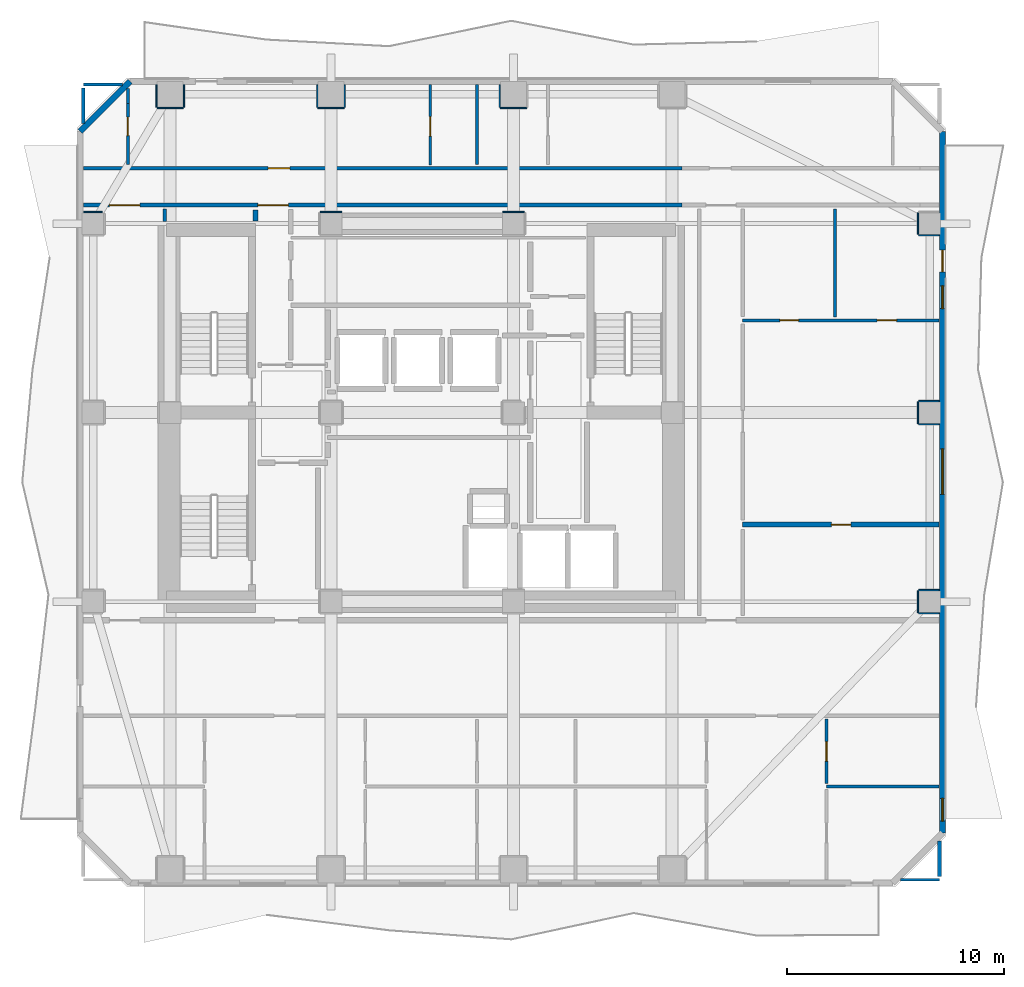
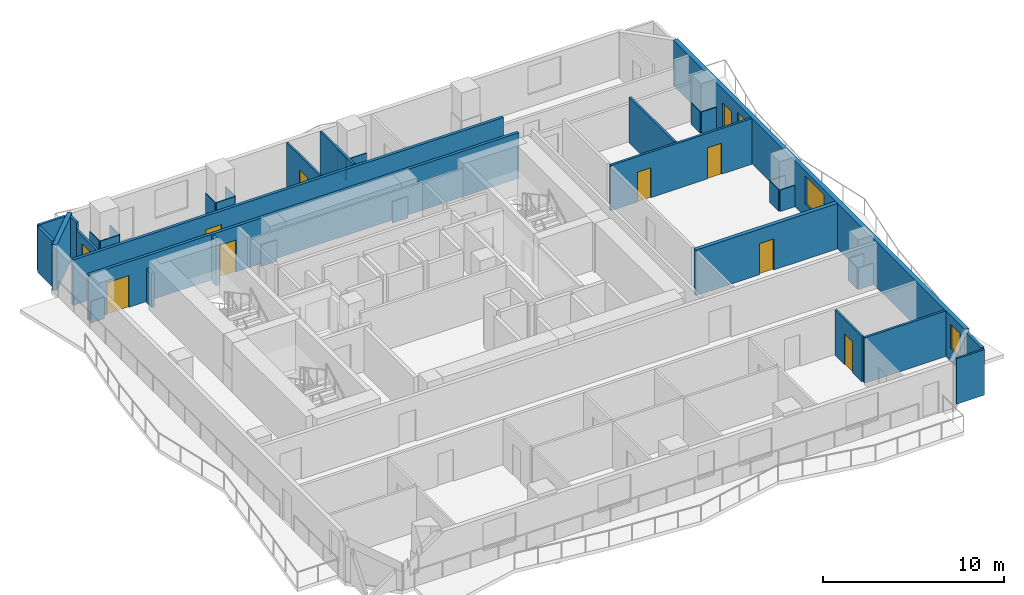
# One storey, part 5 of 9: 38 walls, 10 doors, 3 windows, 13 openings.
"""IFC4 building model written with IfcOpenShell, lengths in metres."""

from ifc_helpers import new_model, si_unit, direction, frame, frame_2d, origin, place, context, subcontext, project, spatial, rectangle, extrude, material, layer, layer_set, type_object, element, fill, save


model = new_model("IFC4")

# Units and contexts
model_context = context("Model", 3, precision=1e-05, world=origin(), true_north=direction((0.0, 1.0)))
body_context = subcontext(model_context, "Body", "Model", "MODEL_VIEW")
ifc_project = project(units=[si_unit("LENGTHUNIT", "METRE"), si_unit("AREAUNIT", "SQUARE_METRE"), si_unit("VOLUMEUNIT", "CUBIC_METRE"), si_unit("PLANEANGLEUNIT", "RADIAN"), si_unit("MASSUNIT", "GRAM", prefix="KILO")], contexts=[model_context])

# Site, building, storey
site_placement = place(None, origin())
site = spatial("IfcSite", under=ifc_project, at=site_placement, CompositionType="ELEMENT")
building_placement = place(site_placement, origin())
building = spatial("IfcBuilding", under=site, at=building_placement, Name="Solanera Arch Residences", CompositionType="ELEMENT")
storey_placement = place(building_placement, frame((0.0, 0.0, 132.639892578125)))
storey = spatial("IfcBuildingStorey", under=building, at=storey_placement, Name="L38", CompositionType="ELEMENT", Elevation=132.639892578125)

# Walls
ifc_material_1 = material(Name="Fire-Rated Gypsum Stud Partition", Category="gypsum")
ifc_layer_1 = layer(ifc_material_1, 0.06005859375)
ifc_layer_set_1 = layer_set([ifc_layer_1], Name="Fire-Rated Gypsum Stud Partition")
wall_type_1 = type_object("IfcWallType", Name="Column Acoustic Furring Wall 60", PredefinedType="PARTITIONING", material=ifc_layer_set_1)
for number, where, z_axis, x_axis, name in (
    (1, (20.300048828125, 39.931884765625, 0.0), (0.0, 0.0, 1.0), (1.0, 0.0, 0.0), "L38 Column Furring 3N"),
    (2, (28.699951171875, 39.931884765625, 0.0), (0.0, 0.0, 1.0), (1.0, 0.0, 0.0), "L38 Column Furring 4N"),
):
    element("IfcWall", number, at=place(storey_placement, frame(where, z_axis=z_axis, x_axis=x_axis)), inside=storey, type_object=wall_type_1, Name=name, PredefinedType="PARTITIONING", context=body_context, shape_type="SweptSolid", body=[
        extrude(rectangle(XDim=1.0, YDim=0.06005859375, at=frame_2d((0.5, 0.0))), origin(), (0.0, 0.0, 1.0), 1.4501953125),
    ])
wall_1_placement = place(storey_placement, frame((12.800048828125, 44.718017578125, 0.0), z_axis=(0.0, 0.0, 1.0), x_axis=(1.0, 0.0, 0.0)))
element("IfcWall", 3, at=wall_1_placement, inside=storey, type_object=wall_type_1, Name="L38 Column Furring 10S", PredefinedType="PARTITIONING", context=body_context, shape_type="SweptSolid", body=[
    extrude(rectangle(XDim=1.199951171875, YDim=0.06005859375, at=frame_2d((0.60009765625, 0.0))), origin(), (0.0, 0.0, 1.0), 1.4501953125),
])
for number, where, z_axis, x_axis, name in (
    (4, (12.76806640625, 44.75, 0.0), (0.0, 0.0, 1.0), (0.0, 1.0, 0.0), "L38 Column Furring 10W"),
    (5, (14.031982421875, 44.75, 0.0), (0.0, 0.0, 1.0), (0.0, 1.0, 0.0), "L38 Column Furring 10E"),
):
    element("IfcWall", number, at=place(storey_placement, frame(where, z_axis=z_axis, x_axis=x_axis)), inside=storey, type_object=wall_type_1, Name=name, PredefinedType="PARTITIONING", context=body_context, shape_type="SweptSolid", body=[
        extrude(rectangle(XDim=1.0400390625, YDim=0.06005859375, at=frame_2d((0.52001953125, 0.0))), origin(), (0.0, 0.0, 1.0), 1.4501953125),
    ])
wall_2_placement = place(storey_placement, frame((20.199951171875, 44.718017578125, 0.0), z_axis=(0.0, 0.0, 1.0), x_axis=(1.0, 0.0, 0.0)))
element("IfcWall", 6, at=wall_2_placement, inside=storey, type_object=wall_type_1, Name="L38 Column Furring 12S", PredefinedType="PARTITIONING", context=body_context, shape_type="SweptSolid", body=[
    extrude(rectangle(XDim=1.199951171875, YDim=0.06005859375, at=frame_2d((0.60009765625, 0.0))), origin(), (0.0, 0.0, 1.0), 1.4501953125),
])
for number, where, z_axis, x_axis, name in (
    (7, (20.16796875, 44.75, 0.0), (0.0, 0.0, 1.0), (0.0, 1.0, 0.0), "L38 Column Furring 12W"),
    (8, (21.431884765625, 44.75, 0.0), (0.0, 0.0, 1.0), (0.0, 1.0, 0.0), "L38 Column Furring 12E"),
):
    element("IfcWall", number, at=place(storey_placement, frame(where, z_axis=z_axis, x_axis=x_axis)), inside=storey, type_object=wall_type_1, Name=name, PredefinedType="PARTITIONING", context=body_context, shape_type="SweptSolid", body=[
        extrude(rectangle(XDim=1.0400390625, YDim=0.06005859375, at=frame_2d((0.52001953125, 0.0))), origin(), (0.0, 0.0, 1.0), 1.4501953125),
    ])
wall_3_placement = place(storey_placement, frame((28.60009765625, 44.718017578125, 0.0), z_axis=(0.0, 0.0, 1.0), x_axis=(1.0, 0.0, 0.0)))
element("IfcWall", 9, at=wall_3_placement, inside=storey, type_object=wall_type_1, Name="L38 Column Furring 14S", PredefinedType="PARTITIONING", context=body_context, shape_type="SweptSolid", body=[
    extrude(rectangle(XDim=1.199951171875, YDim=0.06005859375, at=frame_2d((0.60009765625, 0.0))), origin(), (0.0, 0.0, 1.0), 1.4501953125),
])
wall_4_placement = place(storey_placement, frame((28.568115234375, 44.75, 0.0), z_axis=(0.0, 0.0, 1.0), x_axis=(0.0, 1.0, 0.0)))
element("IfcWall", 10, at=wall_4_placement, inside=storey, type_object=wall_type_1, Name="L38 Column Furring 14W", PredefinedType="PARTITIONING", context=body_context, shape_type="SweptSolid", body=[
    extrude(rectangle(XDim=1.0400390625, YDim=0.06005859375, at=frame_2d((0.52001953125, 0.0))), origin(), (0.0, 0.0, 1.0), 1.4501953125),
])
for number, where, z_axis, x_axis, name in (
    (11, (47.85009765625, 21.468017578125, 0.0), (0.0, 0.0, 1.0), (1.0, 0.0, 0.0), "L38 Column Furring 18S"),
    (12, (47.85009765625, 22.531982421875, 0.0), (0.0, 0.0, 1.0), (1.0, 0.0, 0.0), "L38 Column Furring 18N"),
):
    element("IfcWall", number, at=place(storey_placement, frame(where, z_axis=z_axis, x_axis=x_axis)), inside=storey, type_object=wall_type_1, Name=name, PredefinedType="PARTITIONING", context=body_context, shape_type="SweptSolid", body=[
        extrude(rectangle(XDim=0.93994140625, YDim=0.06005859375, at=frame_2d((0.469970703125, 0.0))), origin(), (0.0, 0.0, 1.0), 1.4501953125),
    ])
wall_5_placement = place(storey_placement, frame((47.818115234375, 21.5, 0.0), z_axis=(0.0, 0.0, 1.0), x_axis=(0.0, 1.0, 0.0)))
element("IfcWall", 13, at=wall_5_placement, inside=storey, type_object=wall_type_1, Name="L38 Column Furring 18W", PredefinedType="PARTITIONING", context=body_context, shape_type="SweptSolid", body=[
    extrude(rectangle(XDim=1.0, YDim=0.06005859375, at=frame_2d((0.5, 0.0))), origin(), (0.0, 0.0, 1.0), 1.4501953125),
])
for number, where, z_axis, x_axis, name in (
    (14, (47.85009765625, 30.16796875, 0.0), (0.0, 0.0, 1.0), (1.0, 0.0, 0.0), "L38 Column Furring 20S"),
    (15, (47.85009765625, 31.23193359375, 0.0), (0.0, 0.0, 1.0), (1.0, 0.0, 0.0), "L38 Column Furring 20N"),
):
    element("IfcWall", number, at=place(storey_placement, frame(where, z_axis=z_axis, x_axis=x_axis)), inside=storey, type_object=wall_type_1, Name=name, PredefinedType="PARTITIONING", context=body_context, shape_type="SweptSolid", body=[
        extrude(rectangle(XDim=0.93994140625, YDim=0.06005859375, at=frame_2d((0.469970703125, 0.0))), origin(), (0.0, 0.0, 1.0), 1.4501953125),
    ])
wall_6_placement = place(storey_placement, frame((47.818115234375, 30.199951171875, 0.0), z_axis=(0.0, 0.0, 1.0), x_axis=(0.0, 1.0, 0.0)))
element("IfcWall", 16, at=wall_6_placement, inside=storey, type_object=wall_type_1, Name="L38 Column Furring 20W", PredefinedType="PARTITIONING", context=body_context, shape_type="SweptSolid", body=[
    extrude(rectangle(XDim=1.0, YDim=0.06005859375, at=frame_2d((0.5, 0.0))), origin(), (0.0, 0.0, 1.0), 1.4501953125),
])
wall_7_placement = place(storey_placement, frame((9.409912109375, 39.931884765625, 0.0), z_axis=(0.0, 0.0, 1.0), x_axis=(1.0, 0.0, 0.0)))
element("IfcWall", 17, at=wall_7_placement, inside=storey, type_object=wall_type_1, Name="L38 Column Furring 21N", PredefinedType="PARTITIONING", context=body_context, shape_type="SweptSolid", body=[
    extrude(rectangle(XDim=0.87109375, YDim=0.06005859375, at=frame_2d((0.435546875, 0.0))), origin(), (0.0, 0.0, 1.0), 1.4501953125),
])
wall_8_placement = place(storey_placement, frame((47.85009765625, 38.867919921875, 0.0), z_axis=(0.0, 0.0, 1.0), x_axis=(1.0, 0.0, 0.0)))
element("IfcWall", 18, at=wall_8_placement, inside=storey, type_object=wall_type_1, Name="L38 Column Furring 22S", PredefinedType="PARTITIONING", context=body_context, shape_type="SweptSolid", body=[
    extrude(rectangle(XDim=0.93994140625, YDim=0.06005859375, at=frame_2d((0.469970703125, 0.0))), origin(), (0.0, 0.0, 1.0), 1.4501953125),
])
wall_9_placement = place(storey_placement, frame((47.818115234375, 38.89990234375, 0.0), z_axis=(0.0, 0.0, 1.0), x_axis=(0.0, 1.0, 0.0)))
element("IfcWall", 19, at=wall_9_placement, inside=storey, type_object=wall_type_1, Name="L38 Column Furring 22W", PredefinedType="PARTITIONING", context=body_context, shape_type="SweptSolid", body=[
    extrude(rectangle(XDim=1.0, YDim=0.06005859375, at=frame_2d((0.5, 0.0))), origin(), (0.0, 0.0, 1.0), 1.4501953125),
])

# Wall, openings, doors
ifc_material_2 = material(Name="Autoclaved Aerated Concrete Blockwork", Category="masonry")
ifc_layer_2 = layer(ifc_material_2, 0.179931640625)
ifc_layer_set_2 = layer_set([ifc_layer_2], Name="Autoclaved Aerated Concrete Blockwork")
wall_type_2 = type_object("IfcWallType", Name="Corridor Fire Partition 180", PredefinedType="PARTITIONING", material=ifc_layer_set_2)
wall_10_placement = place(storey_placement, frame((9.406982421875, 40.25, 0.0), z_axis=(0.0, 0.0, 1.0), x_axis=(1.0, 0.0, 0.0)))
wall_10 = element("IfcWall", 20, at=wall_10_placement, inside=storey, type_object=wall_type_2, Name="L38 Interior Partition H12 1", PredefinedType="PARTITIONING", context=body_context, shape_type="SweptSolid", body=[
    extrude(rectangle(XDim=27.5361328125, YDim=0.179931640625, at=frame_2d((13.76806640625, 0.0))), origin(), (0.0, 0.0, 1.0), 3.080078125),
])
opening_1_placement = place(wall_10_placement, frame((8.028076171875, 0.0, 0.0)))
opening_1 = element("IfcOpeningElement", 21, at=opening_1_placement, cuts=wall_10, Name="Opening DF-03", PredefinedType="OPENING", context=body_context, shape_type="SweptSolid", body=[
    extrude(rectangle(XDim=1.39990234375, YDim=2.14990234375, at=frame_2d((0.699951171875, 1.074951171875))), frame((0.0, 0.10009765625, 0.0), z_axis=(0.0, -1.0, 0.0), x_axis=(1.0, 0.0, 0.0)), (0.0, 0.0, 1.0), 0.1999),
])
opening_2_placement = place(wall_10_placement, frame((1.19189453125, 0.0, 0.0)))
opening_2 = element("IfcOpeningElement", 22, at=opening_2_placement, cuts=wall_10, Name="Opening DF-03", PredefinedType="OPENING", context=body_context, shape_type="SweptSolid", body=[
    extrude(rectangle(XDim=1.39990234375, YDim=2.14990234375, at=frame_2d((0.699951171875, 1.074951171875))), frame((0.0, 0.10009765625, 0.0), z_axis=(0.0, -1.0, 0.0), x_axis=(1.0, 0.0, 0.0)), (0.0, 0.0, 1.0), 0.1999),
])
ifc_material_3 = material(Name="Fire-Rated Architectural Hardwood", Category="wood")
door_type_1 = type_object("IfcDoorType", Name="Corridor Smoke Door DF-03", OperationType="NOTDEFINED", PredefinedType="DOOR", material=ifc_material_3)
door_1_placement = place(opening_1_placement, origin())
door_1 = element("IfcDoor", 23, at=door_1_placement, inside=storey, type_object=door_type_1, Name="DR-L38-IN-009", OperationType="SINGLE_SWING_RIGHT", OverallHeight=2.14990234375, OverallWidth=1.39990234375, PredefinedType="DOOR", context=body_context, shape_type="SweptSolid", body=[
    extrude(rectangle(XDim=1.39990234375, YDim=2.14990234375, at=frame_2d((0.699951171875, 1.074951171875))), frame((0.0, 0.02490234375, 0.0), z_axis=(0.0, -1.0, 0.0), x_axis=(1.0, 0.0, 0.0)), (0.0, 0.0, 1.0), 0.050048828125),
])
fill(opening_1, door_1)
door_2_placement = place(opening_2_placement, origin())
door_2 = element("IfcDoor", 24, at=door_2_placement, inside=storey, type_object=door_type_1, Name="DR-L38-IN-012", OperationType="SINGLE_SWING_LEFT", OverallHeight=2.14990234375, OverallWidth=1.39990234375, PredefinedType="DOOR", context=body_context, shape_type="SweptSolid", body=[
    extrude(rectangle(XDim=1.39990234375, YDim=2.14990234375, at=frame_2d((0.699951171875, 1.074951171875))), frame((0.0, 0.02490234375, 0.0), z_axis=(0.0, -1.0, 0.0), x_axis=(1.0, 0.0, 0.0)), (0.0, 0.0, 1.0), 0.050048828125),
])
fill(opening_2, door_2)

# Wall, opening, door
wall_11_placement = place(storey_placement, frame((9.406982421875, 41.949951171875, 0.0), z_axis=(0.0, 0.0, 1.0), x_axis=(1.0, 0.0, 0.0)))
wall_11 = element("IfcWall", 25, at=wall_11_placement, inside=storey, type_object=wall_type_2, Name="L38 Interior Partition H13 1", PredefinedType="PARTITIONING", context=body_context, shape_type="SweptSolid", body=[
    extrude(rectangle(XDim=27.5361328125, YDim=0.179931640625, at=frame_2d((13.76806640625, 0.0))), origin(), (0.0, 0.0, 1.0), 3.080078125),
])
opening_3_placement = place(wall_11_placement, frame((8.5029296875, 0.0, 0.0)))
opening_3 = element("IfcOpeningElement", 26, at=opening_3_placement, cuts=wall_11, Name="Opening DI-01", PredefinedType="OPENING", context=body_context, shape_type="SweptSolid", body=[
    extrude(rectangle(XDim=1.0, YDim=2.14990234375, at=frame_2d((0.5, 1.074951171875))), frame((0.0, 0.10009765625, 0.0), z_axis=(0.0, -1.0, 0.0), x_axis=(1.0, 0.0, 0.0)), (0.0, 0.0, 1.0), 0.1999),
])
ifc_material_4 = material(Name="Fire-Rated Architectural Hardwood", Category="wood")
door_type_2 = type_object("IfcDoorType", Name="Unit Entrance Fire Door DI-01", OperationType="NOTDEFINED", PredefinedType="DOOR", material=ifc_material_4)
door_3_placement = place(opening_3_placement, origin())
door_3 = element("IfcDoor", 27, at=door_3_placement, inside=storey, type_object=door_type_2, Name="DR-L38-IN-029", OperationType="SINGLE_SWING_RIGHT", OverallHeight=2.14990234375, OverallWidth=1.0, PredefinedType="DOOR", context=body_context, shape_type="SweptSolid", body=[
    extrude(rectangle(XDim=1.0, YDim=2.14990234375, at=frame_2d((0.5, 1.074951171875))), frame((0.0, 0.02490234375, 0.0), z_axis=(0.0, -1.0, 0.0), x_axis=(1.0, 0.0, 0.0)), (0.0, 0.0, 1.0), 0.050048828125),
])
fill(opening_3, door_3)

# Walls
wall_12_placement = place(storey_placement, frame((9.39990234375, 44.0048828125, 0.0), z_axis=(0.0, 0.0, 1.0), x_axis=(0.0, 1.0, 0.0)))
element("IfcWall", 28, at=wall_12_placement, inside=storey, type_object=wall_type_2, Name="L38 Interior Partition V7 2", PredefinedType="PARTITIONING", context=body_context, shape_type="SweptSolid", body=[
    extrude(rectangle(XDim=1.627197265625, YDim=0.179931640625, at=frame_2d((0.8134765625, 0.0))), origin(), (0.0, 0.0, 1.0), 3.080078125),
])
wall_13_placement = place(storey_placement, frame((13.14990234375, 39.5, 0.0), z_axis=(0.0, 0.0, 1.0), x_axis=(0.0, 1.0, 0.0)))
element("IfcWall", 29, at=wall_13_placement, inside=storey, type_object=wall_type_2, Name="L38 Interior Partition V8", PredefinedType="PARTITIONING", context=body_context, shape_type="SweptSolid", body=[
    extrude(rectangle(XDim=0.56201171875, YDim=0.179931640625, at=frame_2d((0.281005859375, 0.0))), origin(), (0.0, 0.0, 1.0), 2.315185546875),
])
wall_14_placement = place(storey_placement, frame((48.800048828125, 9.35791015625, 0.0), z_axis=(0.0, 0.0, 1.0), x_axis=(0.0, 1.0, 0.0)))
element("IfcWall", 30, at=wall_14_placement, inside=storey, type_object=wall_type_2, Name="L38 Interior Partition V12 1", PredefinedType="PARTITIONING", context=body_context, shape_type="SweptSolid", body=[
    extrude(rectangle(XDim=1.63720703125, YDim=0.179931640625, at=frame_2d((0.818603515625, 0.0))), origin(), (0.0, 0.0, 1.0), 3.080078125),
])
ifc_material_5 = material(Name="Precast Concrete C35/45", Category="concrete")
ifc_layer_3 = layer(ifc_material_5, 0.280029296875)
ifc_layer_set_3 = layer_set([ifc_layer_3], Name="Precast Concrete C35/45")
wall_type_3 = type_object("IfcWallType", Name="Exterior Wall Precast Masonry-Frame 280", PredefinedType="STANDARD", material=ifc_layer_set_3)
wall_15_placement = place(storey_placement, frame((9.2548828125, 43.64501953125, 0.0), z_axis=(0.0, 0.0, 1.0), x_axis=(0.707106781187, 0.707106781187, 0.0)))
element("IfcWall", 31, at=wall_15_placement, inside=storey, type_object=wall_type_3, Name="L38 Tower Exterior Precast Masonry-Frame Wall CH1", PredefinedType="STANDARD", context=body_context, shape_type="SweptSolid", body=[
    extrude(rectangle(XDim=3.252685546875, YDim=0.280029296875, at=frame_2d((1.62646484375, 0.0))), origin(), (0.0, 0.0, 1.0), 3.080078125),
])

# Wall, openings, door, windows
wall_16_placement = place(storey_placement, frame((48.945068359375, 43.64501953125, 0.0), z_axis=(0.0, 0.0, 1.0), x_axis=(0.0, -1.0, 0.0)))
wall_16 = element("IfcWall", 32, at=wall_16_placement, inside=storey, type_object=wall_type_3, Name="L38 Tower Exterior Precast Masonry-Frame Wall E", PredefinedType="STANDARD", context=body_context, shape_type="SweptSolid", body=[
    extrude(rectangle(XDim=32.2900390625, YDim=0.280029296875, at=frame_2d((16.14501953125, 0.0))), origin(), (0.0, 0.0, 1.0), 3.080078125),
])
opening_4_placement = place(wall_16_placement, frame((5.467041015625, 0.0, 0.0)))
opening_4 = element("IfcOpeningElement", 33, at=opening_4_placement, cuts=wall_16, Name="Opening DB-01", PredefinedType="OPENING", context=body_context, shape_type="SweptSolid", body=[
    extrude(rectangle(XDim=1.0, YDim=2.14990234375, at=frame_2d((0.5, 1.074951171875))), frame((0.0, 0.14990234375, 0.0), z_axis=(0.0, -1.0, 0.0), x_axis=(1.0, 0.0, 0.0)), (0.0, 0.0, 1.0), 0.3),
])
opening_5_placement = place(wall_16_placement, frame((30.696044921875, 0.0, 0.85009765625)))
opening_5 = element("IfcOpeningElement", 34, at=opening_5_placement, cuts=wall_16, Name="Opening W-07", PredefinedType="OPENING", context=body_context, shape_type="SweptSolid", body=[
    extrude(rectangle(XDim=1.050048828125, YDim=1.64990234375, at=frame_2d((0.52490234375, 0.824951171875))), frame((0.0, 0.14990234375, 0.0), z_axis=(0.0, -1.0, 0.0), x_axis=(1.0, 0.0, 0.0)), (0.0, 0.0, 1.0), 0.3),
])
opening_6_placement = place(wall_16_placement, frame((14.611083984375, 0.0, 0.85009765625)))
opening_6 = element("IfcOpeningElement", 35, at=opening_6_placement, cuts=wall_16, Name="Opening W-04", PredefinedType="OPENING", context=body_context, shape_type="SweptSolid", body=[
    extrude(rectangle(XDim=2.10009765625, YDim=1.89990234375, at=frame_2d((1.050048828125, 0.949951171875))), frame((0.0, 0.14990234375, 0.0), z_axis=(0.0, -1.0, 0.0), x_axis=(1.0, 0.0, 0.0)), (0.0, 0.0, 1.0), 0.3),
])
opening_7_placement = place(wall_16_placement, frame((7.10595703125, 0.0, 0.85009765625)))
opening_7 = element("IfcOpeningElement", 36, at=opening_7_placement, cuts=wall_16, Name="Opening W-07", PredefinedType="OPENING", context=body_context, shape_type="SweptSolid", body=[
    extrude(rectangle(XDim=1.050048828125, YDim=1.64990234375, at=frame_2d((0.52490234375, 0.824951171875))), frame((0.0, 0.14990234375, 0.0), z_axis=(0.0, -1.0, 0.0), x_axis=(1.0, 0.0, 0.0)), (0.0, 0.0, 1.0), 0.3),
])
ifc_material_6 = material(Name="Anodised Aluminium Alloy 6063-T6", Category="aluminium")
door_type_3 = type_object("IfcDoorType", Name="Glazed Balcony Swing Door DB-01", OperationType="NOTDEFINED", PredefinedType="DOOR", material=ifc_material_6)
door_4_placement = place(opening_4_placement, origin())
door_4 = element("IfcDoor", 37, at=door_4_placement, inside=storey, type_object=door_type_3, Name="DR-L38-OUT-03", OperationType="SINGLE_SWING_RIGHT", OverallHeight=2.14990234375, OverallWidth=1.0, PredefinedType="DOOR", context=body_context, shape_type="SweptSolid", body=[
    extrude(rectangle(XDim=1.0, YDim=2.14990234375, at=frame_2d((0.5, 1.074951171875))), frame((0.0, 0.02490234375, 0.0), z_axis=(0.0, -1.0, 0.0), x_axis=(1.0, 0.0, 0.0)), (0.0, 0.0, 1.0), 0.050048828125),
])
fill(opening_4, door_4)
ifc_material_7 = material(Name="Double Glazed Low-E Laminated Glass", Category="glass")
window_type_1 = type_object("IfcWindowType", Name="Punched Window W-04", PartitioningType="DOUBLE_PANEL_VERTICAL", PredefinedType="WINDOW", material=ifc_material_7)
window_1_placement = place(opening_6_placement, origin())
window_1 = element("IfcWindow", 38, at=window_1_placement, inside=storey, type_object=window_type_1, Name="L38 3805-LIV Punched Window", OverallHeight=1.89990234375, OverallWidth=2.10009765625, PartitioningType="SINGLE_PANEL", PredefinedType="WINDOW", context=body_context, shape_type="SweptSolid", body=[
    extrude(rectangle(XDim=2.10009765625, YDim=1.89990234375, at=frame_2d((1.050048828125, 0.949951171875))), frame((0.0, 0.030029296875, 0.0), z_axis=(0.0, -1.0, 0.0), x_axis=(1.0, 0.0, 0.0)), (0.0, 0.0, 1.0), 0.06005859375),
])
fill(opening_6, window_1)
ifc_material_8 = material(Name="Double Glazed Low-E Laminated Glass", Category="glass")
window_type_2 = type_object("IfcWindowType", Name="Punched Window W-07", PartitioningType="SINGLE_PANEL", PredefinedType="WINDOW", material=ifc_material_8)
window_2_placement = place(opening_5_placement, origin())
window_2 = element("IfcWindow", 39, at=window_2_placement, inside=storey, type_object=window_type_2, Name="L38 3802-BR2 Punched Window", OverallHeight=1.64990234375, OverallWidth=1.050048828125, PartitioningType="SINGLE_PANEL", PredefinedType="WINDOW", context=body_context, shape_type="SweptSolid", body=[
    extrude(rectangle(XDim=1.050048828125, YDim=1.64990234375, at=frame_2d((0.52490234375, 0.824951171875))), frame((0.0, 0.030029296875, 0.0), z_axis=(0.0, -1.0, 0.0), x_axis=(1.0, 0.0, 0.0)), (0.0, 0.0, 1.0), 0.06005859375),
])
fill(opening_5, window_2)
window_3_placement = place(opening_7_placement, origin())
window_3 = element("IfcWindow", 40, at=window_3_placement, inside=storey, type_object=window_type_2, Name="L38 3805-BR1 Punched Window", OverallHeight=1.64990234375, OverallWidth=1.050048828125, PartitioningType="SINGLE_PANEL", PredefinedType="WINDOW", context=body_context, shape_type="SweptSolid", body=[
    extrude(rectangle(XDim=1.050048828125, YDim=1.64990234375, at=frame_2d((0.52490234375, 0.824951171875))), frame((0.0, 0.030029296875, 0.0), z_axis=(0.0, -1.0, 0.0), x_axis=(1.0, 0.0, 0.0)), (0.0, 0.0, 1.0), 0.06005859375),
])
fill(opening_7, window_3)

# Wall, opening, door
ifc_material_9 = material(Name="Autoclaved Aerated Concrete Blockwork", Category="masonry")
ifc_layer_4 = layer(ifc_material_9, 0.239990234375)
ifc_layer_set_4 = layer_set([ifc_layer_4], Name="Autoclaved Aerated Concrete Blockwork")
wall_type_4 = type_object("IfcWallType", Name="Shaft Wall Fire-Rated 240", PredefinedType="PARTITIONING", material=ifc_layer_set_4)
wall_17_placement = place(storey_placement, frame((39.75, 25.550048828125, 0.0), z_axis=(0.0, 0.0, 1.0), x_axis=(1.0, 0.0, 0.0)))
wall_17 = element("IfcWall", 41, at=wall_17_placement, inside=storey, type_object=wall_type_4, Name="L38 Interior Partition H3", PredefinedType="PARTITIONING", context=body_context, shape_type="SweptSolid", body=[
    extrude(rectangle(XDim=9.04296875, YDim=0.239990234375, at=frame_2d((4.521484375, 0.0))), origin(), (0.0, 0.0, 1.0), 3.080078125),
])
opening_8_placement = place(wall_17_placement, frame((4.074951171875, 0.0, 0.0)))
opening_8 = element("IfcOpeningElement", 42, at=opening_8_placement, cuts=wall_17, Name="Opening DI-02", PredefinedType="OPENING", context=body_context, shape_type="SweptSolid", body=[
    extrude(rectangle(XDim=0.89990234375, YDim=2.10009765625, at=frame_2d((0.449951171875, 1.050048828125))), frame((0.0, 0.1298828125, 0.0), z_axis=(0.0, -1.0, 0.0), x_axis=(1.0, 0.0, 0.0)), (0.0, 0.0, 1.0), 0.26),
])
ifc_material_10 = material(Name="Fire-Rated Architectural Hardwood", Category="wood")
door_type_4 = type_object("IfcDoorType", Name="Suite Room Swing Door DI-02", OperationType="NOTDEFINED", PredefinedType="DOOR", material=ifc_material_10)
door_5_placement = place(opening_8_placement, origin())
door_5 = element("IfcDoor", 43, at=door_5_placement, inside=storey, type_object=door_type_4, Name="DR-L38-IN-036", OperationType="SINGLE_SWING_LEFT", OverallHeight=2.10009765625, OverallWidth=0.89990234375, PredefinedType="DOOR", context=body_context, shape_type="SweptSolid", body=[
    extrude(rectangle(XDim=0.89990234375, YDim=2.10009765625, at=frame_2d((0.449951171875, 1.050048828125))), frame((0.0, 0.02490234375, 0.0), z_axis=(0.0, -1.0, 0.0), x_axis=(1.0, 0.0, 0.0)), (0.0, 0.0, 1.0), 0.050048828125),
])
fill(opening_8, door_5)

# Walls
wall_18_placement = place(storey_placement, frame((17.320068359375, 39.530029296875, 0.0), z_axis=(0.0, 0.0, 1.0), x_axis=(0.0, 1.0, 0.0)))
element("IfcWall", 44, at=wall_18_placement, inside=storey, type_object=wall_type_4, Name="L38 Interior Partition V1", PredefinedType="PARTITIONING", context=body_context, shape_type="SweptSolid", body=[
    extrude(rectangle(XDim=0.501953125, YDim=0.239990234375, at=frame_2d((0.2509765625, 0.0))), origin(), (0.0, 0.0, 1.0), 3.080078125),
])
ifc_material_11 = material(Name="Fire-Rated Gypsum Stud Partition", Category="gypsum")
ifc_layer_5 = layer(ifc_material_11, 0.1201171875)
ifc_layer_set_5 = layer_set([ifc_layer_5], Name="Fire-Rated Gypsum Stud Partition")
wall_type_5 = type_object("IfcWallType", Name="Unit Drywall Partition 120", PredefinedType="PARTITIONING", material=ifc_layer_set_5)
wall_19_placement = place(storey_placement, frame((47.0048828125, 9.199951171875, 0.0), z_axis=(0.0, 0.0, 1.0), x_axis=(1.0, 0.0, 0.0)))
element("IfcWall", 45, at=wall_19_placement, inside=storey, type_object=wall_type_5, Name="L38 Interior Partition H19 2", PredefinedType="PARTITIONING", context=body_context, shape_type="SweptSolid", body=[
    extrude(rectangle(XDim=1.795166015625, YDim=0.1201171875, at=frame_2d((0.8974609375, 0.0))), origin(), (0.0, 0.0, 1.0), 3.080078125),
])

# Wall, opening, door
wall_20_placement = place(storey_placement, frame((25.3701171875, 42.10791015625, 0.0), z_axis=(0.0, 0.0, 1.0), x_axis=(0.0, 1.0, 0.0)))
wall_20 = element("IfcWall", 46, at=wall_20_placement, inside=storey, type_object=wall_type_5, Name="L38 Interior Partition V22", PredefinedType="PARTITIONING", context=body_context, shape_type="SweptSolid", body=[
    extrude(rectangle(XDim=3.68505859375, YDim=0.1201171875, at=frame_2d((1.842529296875, 0.0))), origin(), (0.0, 0.0, 1.0), 3.080078125),
])
opening_9_placement = place(wall_20_placement, frame((1.31689453125, 0.0, 0.0)))
opening_9 = element("IfcOpeningElement", 47, at=opening_9_placement, cuts=wall_20, Name="Opening DI-02", PredefinedType="OPENING", context=body_context, shape_type="SweptSolid", body=[
    extrude(rectangle(XDim=0.89990234375, YDim=2.10009765625, at=frame_2d((0.449951171875, 1.050048828125))), frame((0.0, 0.070068359375, 0.0), z_axis=(0.0, -1.0, 0.0), x_axis=(1.0, 0.0, 0.0)), (0.0, 0.0, 1.0), 0.1401),
])
door_6_placement = place(opening_9_placement, origin())
door_6 = element("IfcDoor", 48, at=door_6_placement, inside=storey, type_object=door_type_4, Name="DR-L38-IN-031", OperationType="SINGLE_SWING_RIGHT", OverallHeight=2.10009765625, OverallWidth=0.89990234375, PredefinedType="DOOR", context=body_context, shape_type="SweptSolid", body=[
    extrude(rectangle(XDim=0.89990234375, YDim=2.10009765625, at=frame_2d((0.449951171875, 1.050048828125))), frame((0.0, 0.02490234375, 0.0), z_axis=(0.0, -1.0, 0.0), x_axis=(1.0, 0.0, 0.0)), (0.0, 0.0, 1.0), 0.050048828125),
])
fill(opening_9, door_6)

wall_21_placement = place(storey_placement, frame((43.60595703125, 13.64208984375, 0.0), z_axis=(0.0, 0.0, 1.0), x_axis=(0.0, 1.0, 0.0)))
wall_21 = element("IfcWall", 49, at=wall_21_placement, inside=storey, type_object=wall_type_5, Name="L38 Interior Partition V23 2", PredefinedType="PARTITIONING", context=body_context, shape_type="SweptSolid", body=[
    extrude(rectangle(XDim=2.949951171875, YDim=0.1201171875, at=frame_2d((1.47509765625, 0.0))), origin(), (0.0, 0.0, 1.0), 3.080078125),
])
opening_10_placement = place(wall_21_placement, frame((1.02197265625, 0.0, 0.0)))
opening_10 = element("IfcOpeningElement", 50, at=opening_10_placement, cuts=wall_21, Name="Opening DI-02", PredefinedType="OPENING", context=body_context, shape_type="SweptSolid", body=[
    extrude(rectangle(XDim=0.89990234375, YDim=2.10009765625, at=frame_2d((0.449951171875, 1.050048828125))), frame((0.0, 0.070068359375, 0.0), z_axis=(0.0, -1.0, 0.0), x_axis=(1.0, 0.0, 0.0)), (0.0, 0.0, 1.0), 0.1401),
])
door_7_placement = place(opening_10_placement, origin())
door_7 = element("IfcDoor", 51, at=door_7_placement, inside=storey, type_object=door_type_4, Name="DR-L38-IN-027", OperationType="SINGLE_SWING_RIGHT", OverallHeight=2.10009765625, OverallWidth=0.89990234375, PredefinedType="DOOR", context=body_context, shape_type="SweptSolid", body=[
    extrude(rectangle(XDim=0.89990234375, YDim=2.10009765625, at=frame_2d((0.449951171875, 1.050048828125))), frame((0.0, 0.02490234375, 0.0), z_axis=(0.0, -1.0, 0.0), x_axis=(1.0, 0.0, 0.0)), (0.0, 0.0, 1.0), 0.050048828125),
])
fill(opening_10, door_7)

# Wall
ifc_material_12 = material(Name="Autoclaved Aerated Concrete Blockwork", Category="masonry")
ifc_layer_6 = layer(ifc_material_12, 0.139892578125)
ifc_layer_set_6 = layer_set([ifc_layer_6], Name="Autoclaved Aerated Concrete Blockwork")
wall_type_6 = type_object("IfcWallType", Name="Wet-Room Partition 140", PredefinedType="PARTITIONING", material=ifc_layer_set_6)
wall_22_placement = place(storey_placement, frame((43.60595703125, 13.50390625, 0.0), z_axis=(0.0, 0.0, 1.0), x_axis=(1.0, 0.0, 0.0)))
element("IfcWall", 52, at=wall_22_placement, inside=storey, type_object=wall_type_6, Name="L38 Interior Partition H16", PredefinedType="PARTITIONING", context=body_context, shape_type="SweptSolid", body=[
    extrude(rectangle(XDim=5.18701171875, YDim=0.139892578125, at=frame_2d((2.593505859375, 0.0))), origin(), (0.0, 0.0, 1.0), 3.080078125),
])

# Wall, openings, doors
wall_23_placement = place(storey_placement, frame((39.75, 34.949951171875, 0.0), z_axis=(0.0, 0.0, 1.0), x_axis=(1.0, 0.0, 0.0)))
wall_23 = element("IfcWall", 53, at=wall_23_placement, inside=storey, type_object=wall_type_6, Name="L38 Interior Partition H17", PredefinedType="PARTITIONING", context=body_context, shape_type="SweptSolid", body=[
    extrude(rectangle(XDim=9.04296875, YDim=0.139892578125, at=frame_2d((4.521484375, 0.0))), origin(), (0.0, 0.0, 1.0), 3.080078125),
])
opening_11_placement = place(wall_23_placement, frame((1.7080078125, 0.0, 0.0)))
opening_11 = element("IfcOpeningElement", 54, at=opening_11_placement, cuts=wall_23, Name="Opening DI-05", PredefinedType="OPENING", context=body_context, shape_type="SweptSolid", body=[
    extrude(rectangle(XDim=0.860107421875, YDim=2.02001953125, at=frame_2d((0.43017578125, 1.010009765625))), frame((0.0, 0.079833984375, 0.0), z_axis=(0.0, -1.0, 0.0), x_axis=(1.0, 0.0, 0.0)), (0.0, 0.0, 1.0), 0.1599),
])
opening_12_placement = place(wall_23_placement, frame((6.18701171875, 0.0, 0.0)))
opening_12 = element("IfcOpeningElement", 55, at=opening_12_placement, cuts=wall_23, Name="Opening DI-03", PredefinedType="OPENING", context=body_context, shape_type="SweptSolid", body=[
    extrude(rectangle(XDim=0.89990234375, YDim=2.10009765625, at=frame_2d((0.449951171875, 1.050048828125))), frame((0.0, 0.079833984375, 0.0), z_axis=(0.0, -1.0, 0.0), x_axis=(1.0, 0.0, 0.0)), (0.0, 0.0, 1.0), 0.1599),
])
ifc_material_13 = material(Name="Fire-Rated Architectural Hardwood", Category="wood")
door_type_5 = type_object("IfcDoorType", Name="Bathroom Swing Door DI-05", OperationType="NOTDEFINED", PredefinedType="DOOR", material=ifc_material_13)
door_8_placement = place(opening_11_placement, origin())
door_8 = element("IfcDoor", 56, at=door_8_placement, inside=storey, type_object=door_type_5, Name="DR-L38-IN-037", OperationType="SINGLE_SWING_RIGHT", OverallHeight=2.02001953125, OverallWidth=0.860107421875, PredefinedType="DOOR", context=body_context, shape_type="SweptSolid", body=[
    extrude(rectangle(XDim=0.860107421875, YDim=2.02001953125, at=frame_2d((0.43017578125, 1.010009765625))), frame((0.0, 0.02490234375, 0.0), z_axis=(0.0, -1.0, 0.0), x_axis=(1.0, 0.0, 0.0)), (0.0, 0.0, 1.0), 0.050048828125),
])
fill(opening_11, door_8)
ifc_material_14 = material(Name="Fire-Rated Architectural Hardwood", Category="wood")
door_type_6 = type_object("IfcDoorType", Name="Bedroom Swing Door DI-03", OperationType="NOTDEFINED", PredefinedType="DOOR", material=ifc_material_14)
door_9_placement = place(opening_12_placement, origin())
door_9 = element("IfcDoor", 57, at=door_9_placement, inside=storey, type_object=door_type_6, Name="DR-L38-IN-038", OperationType="SINGLE_SWING_LEFT", OverallHeight=2.10009765625, OverallWidth=0.89990234375, PredefinedType="DOOR", context=body_context, shape_type="SweptSolid", body=[
    extrude(rectangle(XDim=0.89990234375, YDim=2.10009765625, at=frame_2d((0.449951171875, 1.050048828125))), frame((0.0, 0.02490234375, 0.0), z_axis=(0.0, -1.0, 0.0), x_axis=(1.0, 0.0, 0.0)), (0.0, 0.0, 1.0), 0.050048828125),
])
fill(opening_12, door_9)

# Wall
wall_24_placement = place(storey_placement, frame((9.39990234375, 45.800048828125, 0.0), z_axis=(0.0, 0.0, 1.0), x_axis=(1.0, 0.0, 0.0)))
element("IfcWall", 58, at=wall_24_placement, inside=storey, type_object=wall_type_6, Name="L38 Interior Partition H18 1", PredefinedType="PARTITIONING", context=body_context, shape_type="SweptSolid", body=[
    extrude(rectangle(XDim=1.795166015625, YDim=0.139892578125, at=frame_2d((0.8974609375, 0.0))), origin(), (0.0, 0.0, 1.0), 3.080078125),
])

# Wall, opening, door
wall_25_placement = place(storey_placement, frame((11.449951171875, 42.117919921875, 0.0), z_axis=(0.0, 0.0, 1.0), x_axis=(0.0, 1.0, 0.0)))
wall_25 = element("IfcWall", 59, at=wall_25_placement, inside=storey, type_object=wall_type_6, Name="L38 Interior Partition V13 1", PredefinedType="PARTITIONING", context=body_context, shape_type="SweptSolid", body=[
    extrude(rectangle(XDim=2.80810546875, YDim=0.139892578125, at=frame_2d((1.404052734375, 0.0))), origin(), (0.0, 0.0, 1.0), 2.565185546875),
])
opening_13_placement = place(wall_25_placement, frame((1.326904296875, 0.0, 0.0)))
opening_13 = element("IfcOpeningElement", 60, at=opening_13_placement, cuts=wall_25, Name="Opening DI-05", PredefinedType="OPENING", context=body_context, shape_type="SweptSolid", body=[
    extrude(rectangle(XDim=0.860107421875, YDim=2.02001953125, at=frame_2d((0.43017578125, 1.010009765625))), frame((0.0, 0.079833984375, 0.0), z_axis=(0.0, -1.0, 0.0), x_axis=(1.0, 0.0, 0.0)), (0.0, 0.0, 1.0), 0.1599),
])
door_10_placement = place(opening_13_placement, origin())
door_10 = element("IfcDoor", 61, at=door_10_placement, inside=storey, type_object=door_type_5, Name="DR-L38-IN-030", OperationType="SINGLE_SWING_LEFT", OverallHeight=2.02001953125, OverallWidth=0.860107421875, PredefinedType="DOOR", context=body_context, shape_type="SweptSolid", body=[
    extrude(rectangle(XDim=0.860107421875, YDim=2.02001953125, at=frame_2d((0.43017578125, 1.010009765625))), frame((0.0, 0.02490234375, 0.0), z_axis=(0.0, -1.0, 0.0), x_axis=(1.0, 0.0, 0.0)), (0.0, 0.0, 1.0), 0.050048828125),
])
fill(opening_13, door_10)

# Walls
wall_26_placement = place(storey_placement, frame((11.449951171875, 44.926025390625, 0.0), z_axis=(0.0, 0.0, 1.0), x_axis=(0.0, 1.0, 0.0)))
element("IfcWall", 62, at=wall_26_placement, inside=storey, type_object=wall_type_6, Name="L38 Interior Partition V13 2", PredefinedType="PARTITIONING", context=body_context, shape_type="SweptSolid", body=[
    extrude(rectangle(XDim=0.698974609375, YDim=0.139892578125, at=frame_2d((0.349609375, 0.0))), origin(), (0.0, 0.0, 1.0), 3.080078125),
])
wall_27_placement = place(storey_placement, frame((27.52001953125, 42.117919921875, 0.0), z_axis=(0.0, 0.0, 1.0), x_axis=(0.0, 1.0, 0.0)))
element("IfcWall", 63, at=wall_27_placement, inside=storey, type_object=wall_type_6, Name="L38 Interior Partition V16", PredefinedType="PARTITIONING", context=body_context, shape_type="SweptSolid", body=[
    extrude(rectangle(XDim=3.675048828125, YDim=0.139892578125, at=frame_2d((1.83740234375, 0.0))), origin(), (0.0, 0.0, 1.0), 3.080078125),
])
wall_28_placement = place(storey_placement, frame((44.0, 35.097900390625, 0.0), z_axis=(0.0, 0.0, 1.0), x_axis=(0.0, 1.0, 0.0)))
element("IfcWall", 64, at=wall_28_placement, inside=storey, type_object=wall_type_6, Name="L38 Interior Partition V20", PredefinedType="PARTITIONING", context=body_context, shape_type="SweptSolid", body=[
    extrude(rectangle(XDim=4.984130859375, YDim=0.139892578125, at=frame_2d((2.4921875, 0.0))), origin(), (0.0, 0.0, 1.0), 3.080078125),
])

save(model, "model.ifc")
